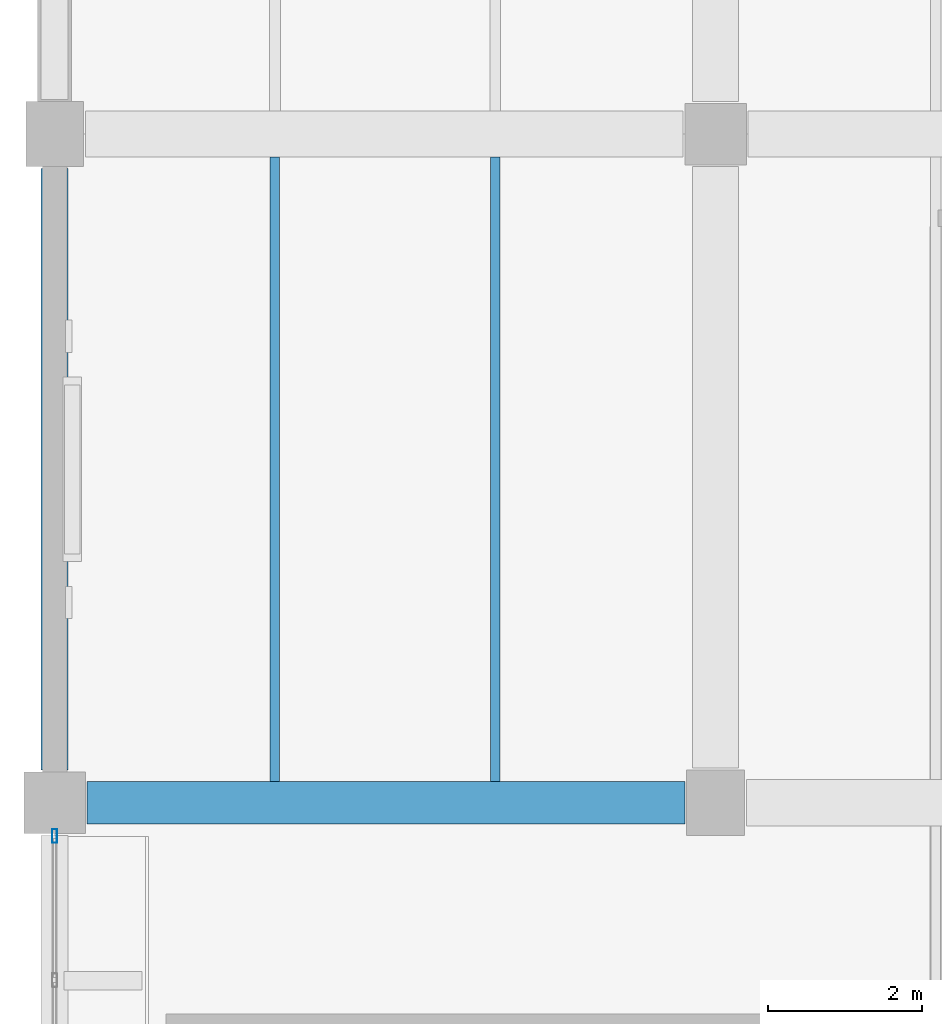
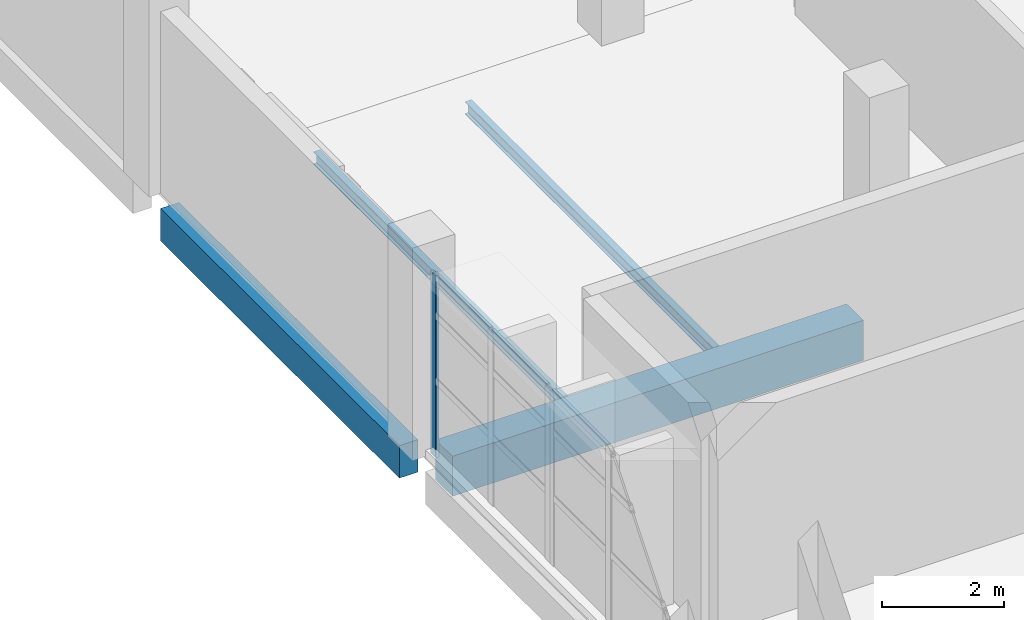
# One storey, part 42 of 76: 4 beams, 1 member, 1 element without a shape of its own.
"""IFC4 building model written with IfcOpenShell, lengths in metres."""

from ifc_helpers import new_model, si_unit, direction, frame, origin, origin_2d, place, context, subcontext, project, spatial, rectangle, hollow_rectangle, i_section, extrude, material, material_profile, profile_set, type_object, element, aggregate, save


model = new_model("IFC4")

# Units and contexts
model_context = context("Model", 3, precision=1e-05, world=origin(), true_north=direction((0.0, 1.0)))
body_context = subcontext(model_context, "Body", "Model", "MODEL_VIEW")
ifc_project = project(units=[si_unit("LENGTHUNIT", "METRE"), si_unit("AREAUNIT", "SQUARE_METRE"), si_unit("VOLUMEUNIT", "CUBIC_METRE"), si_unit("PLANEANGLEUNIT", "RADIAN"), si_unit("MASSUNIT", "GRAM", prefix="KILO")], contexts=[model_context])

# Site, building, storey
site_placement = place(None, origin())
site = spatial("IfcSite", under=ifc_project, at=site_placement, CompositionType="ELEMENT")
building_placement = place(site_placement, origin())
building = spatial("IfcBuilding", under=site, at=building_placement, Name="Varnakota Cinema and Media Centre", CompositionType="ELEMENT")
storey_placement = place(building_placement, origin())
storey = spatial("IfcBuildingStorey", under=building, at=storey_placement, Name="L00", CompositionType="ELEMENT", Elevation=0.0)

# Beams
ifc_material_1 = material(Name="Concrete M35", Category="concrete")
ifc_material_profile_1 = material_profile(ifc_material_1, rectangle(XDim=0.550048828125, YDim=0.800048828125, at=origin_2d()), Name="RCB 550x800")
ifc_profile_set_1 = profile_set([ifc_material_profile_1], Name="Concrete M35")
beam_type_1 = type_object("IfcBeamType", Name="BM-RC-550x800", PredefinedType="BEAM", material=ifc_profile_set_1)
beam_1_placement = place(storey_placement, frame((0.425048828125, 69.5, -0.679931640625), z_axis=(1.0, 0.0, 0.0), x_axis=(0.0, 1.0, 0.0)))
element("IfcBeam", 1, at=beam_1_placement, inside=storey, type_object=beam_type_1, Name="L00 girder A-B/9", PredefinedType="BEAM", context=body_context, shape_type="SweptSolid", body=[
    extrude(rectangle(XDim=0.550048828125, YDim=0.800048828125, at=origin_2d()), origin(), (0.0, 0.0, 1.0), 7.77490234375),
])
ifc_material_2 = material(Name="Concrete M40", Category="concrete")
ifc_material_profile_2 = material_profile(ifc_material_2, rectangle(XDim=0.35009765625, YDim=0.64990234375, at=origin_2d()), Name="RCB 350x650")
ifc_profile_set_2 = profile_set([ifc_material_profile_2], Name="Concrete M40")
beam_type_2 = type_object("IfcBeamType", Name="BM-SP-350x650", PredefinedType="SPANDREL", material=ifc_profile_set_2)
beam_2_placement = place(storey_placement, frame((0.0, 69.925048828125, -0.60498046875), z_axis=(0.0, 1.0, 0.0), x_axis=(-1.0, 0.0, 0.0)))
element("IfcBeam", 2, at=beam_2_placement, inside=storey, type_object=beam_type_2, Name="L00 girder A/9-10", PredefinedType="SPANDREL", context=body_context, shape_type="SweptSolid", body=[
    extrude(rectangle(XDim=0.35009765625, YDim=0.64990234375, at=origin_2d()), origin(), (0.0, 0.0, 1.0), 7.824951171875),
])
ifc_material_3 = material(Name="Structural steel Grade 350 (E350)", Category="steel")
ifc_material_profile_3 = material_profile(ifc_material_3, i_section(OverallWidth=0.125, OverallDepth=0.25, WebThickness=0.0068359375, FlangeThickness=0.012451171875, FilletRadius=0.012939453125, at=origin_2d()), Name="ISMB 250")
ifc_profile_set_3 = profile_set([ifc_material_profile_3], Name="Structural steel Grade 350 (E350)")
beam_type_3 = type_object("IfcBeamType", Name="BM-ST-ISMB250", PredefinedType="JOIST", material=ifc_profile_set_3)
for number, where, z_axis, x_axis, name in (
    (3, (2.86669921875, 69.77490234375, -0.405029296875), (0.0, 1.0, 0.0), (-1.0, 0.0, 0.0), "L00 steel joist A-B/9-10 #1"),
    (4, (5.7333984375, 69.77490234375, -0.405029296875), (0.0, 1.0, 0.0), (-1.0, 0.0, 0.0), "L00 steel joist A-B/9-10 #2"),
):
    element("IfcBeam", number, at=place(storey_placement, frame(where, z_axis=z_axis, x_axis=x_axis)), inside=storey, type_object=beam_type_3, Name=name, PredefinedType="JOIST", context=body_context, shape_type="SweptSolid", body=[
        extrude(i_section(OverallWidth=0.125, OverallDepth=0.25, WebThickness=0.0068359375, FlangeThickness=0.012451171875, FilletRadius=0.012939453125, at=origin_2d()), origin(), (0.0, 0.0, 1.0), 8.125),
    ])

# Curtain wall, member
ifc_material_4 = material(Name="Thermally broken anodised aluminium AW-6063", Category="aluminium")
curtain_wall_type = type_object("IfcCurtainWallType", Name="CW-STD-382x364", PredefinedType="USERDEFINED", material=ifc_material_4)
curtain_wall_placement = place(storey_placement, origin())
curtain_wall = element("IfcCurtainWall", 5, at=curtain_wall_placement, inside=storey, type_object=curtain_wall_type, Name="L00 curtain wall CW-L00-V5-W-N-02-1", ObjectType="UNITISED CURTAIN WALL", PredefinedType="USERDEFINED")
ifc_material_5 = material(Name="Thermally broken anodised aluminium AW-6063", Category="aluminium")
ifc_material_profile_4 = material_profile(ifc_material_5, hollow_rectangle(XDim=0.06494140625, YDim=0.179931640625, WallThickness=0.00390625, InnerFilletRadius=0.00390625, OuterFilletRadius=0.008056640625, at=origin_2d()), Name="AL-MULLION 180x65x4")
ifc_profile_set_4 = profile_set([ifc_material_profile_4], Name="Thermally broken anodised aluminium AW-6063")
member_type = type_object("IfcMemberType", Name="CWM-AL-180", PredefinedType="MULLION", material=ifc_profile_set_4)
member_placement = place(storey_placement, frame((0.0, 69.0673828125, 0.0), z_axis=(0.0, 0.0, 1.0), x_axis=(1.0, 0.0, 0.0)))
member = element("IfcMember", 6, at=member_placement, type_object=member_type, Name="CW15 mullion 1", PredefinedType="MULLION", context=body_context, shape_type="SweptSolid", body=[
    extrude(hollow_rectangle(XDim=0.06494140625, YDim=0.179931640625, WallThickness=0.00390625, InnerFilletRadius=0.00390625, OuterFilletRadius=0.008056640625, at=origin_2d()), origin(), (0.0, 0.0, 1.0), 3.635009765625),
])
aggregate(curtain_wall, [member])

save(model, "model.ifc")
